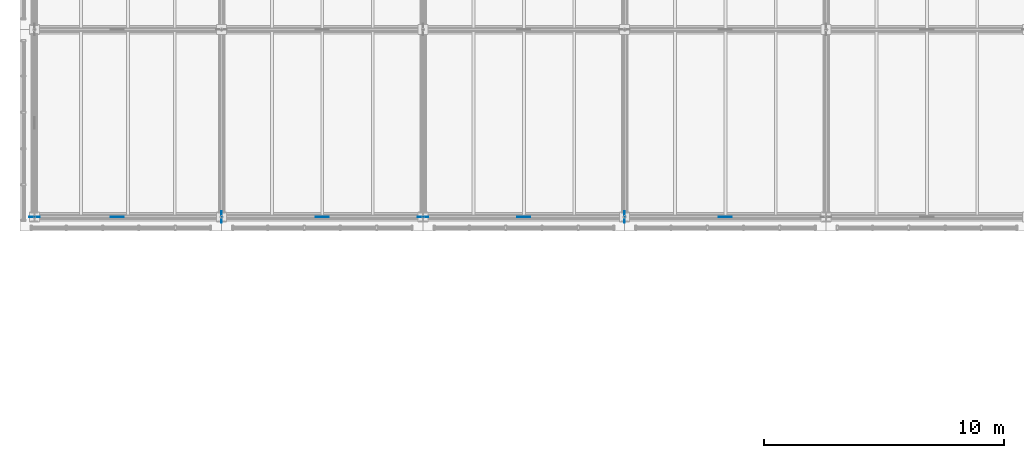
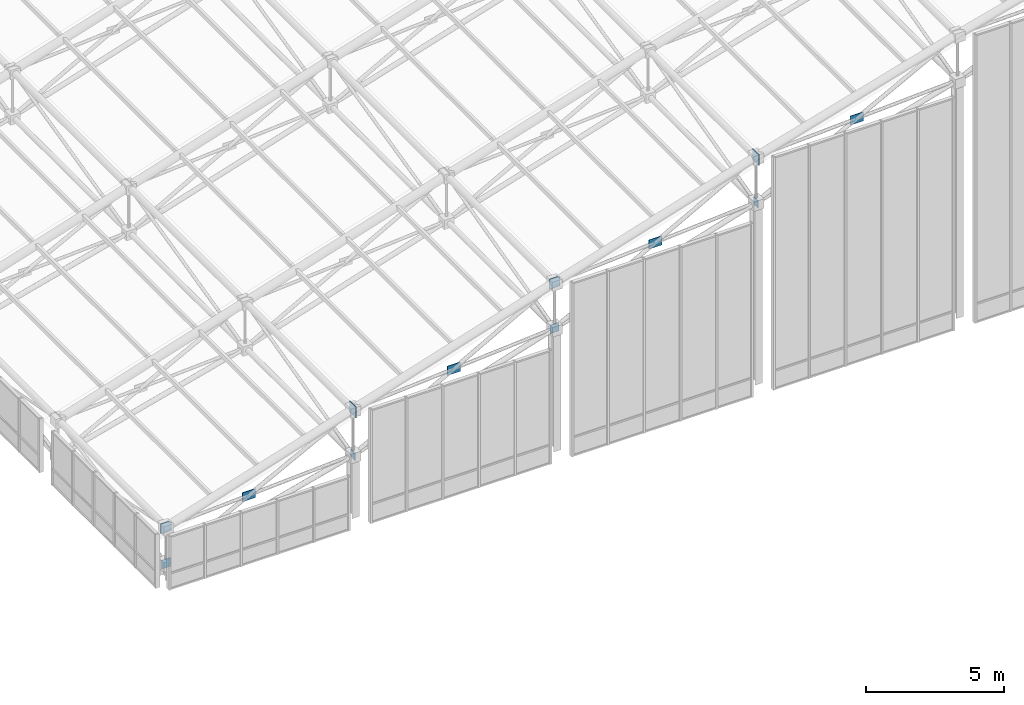
# One storey, part 113 of 144: 12 plates.
"""IFC4 building model written with IfcOpenShell, lengths in metres."""

from ifc_helpers import new_model, si_unit, direction, frame, origin, origin_2d, place, context, subcontext, project, spatial, rectangle, extrude, material, layer, layer_set, type_object, element, save


model = new_model("IFC4")

# Units and contexts
model_context = context("Model", 3, precision=1e-05, world=origin(), true_north=direction((0.0, 1.0)))
body_context = subcontext(model_context, "Body", "Model", "MODEL_VIEW")
ifc_project = project(units=[si_unit("LENGTHUNIT", "METRE"), si_unit("AREAUNIT", "SQUARE_METRE"), si_unit("VOLUMEUNIT", "CUBIC_METRE"), si_unit("PLANEANGLEUNIT", "RADIAN"), si_unit("MASSUNIT", "GRAM", prefix="KILO")], contexts=[model_context])

# Site, building, storey
site_placement = place(None, origin())
site = spatial("IfcSite", under=ifc_project, at=site_placement, CompositionType="ELEMENT")
building_placement = place(site_placement, origin())
building = spatial("IfcBuilding", under=site, at=building_placement, Name="Zayran Congress Hotel", CompositionType="ELEMENT")
storey_placement = place(building_placement, frame((0.0, 0.0, 19.199951171875)))
storey = spatial("IfcBuildingStorey", under=building, at=storey_placement, Name="L04", CompositionType="ELEMENT", Elevation=19.199951171875)

# Plates
ifc_material = material(Name="Steel S355", Category="steel")
ifc_layer_1 = layer(ifc_material, 0.02490234375)
ifc_layer_set_1 = layer_set([ifc_layer_1], Name="Steel S355")
plate_type_1 = type_object("IfcPlateType", Name="TP-SN-CP1", PredefinedType="USERDEFINED", material=ifc_layer_set_1)
for number, where, z_axis, x_axis, name in (
    (1, (9.0, 68.199951171875, 1.971435546875), (0.0, 0.0, 1.0), (1.0, 0.0, 0.0), "Space Frame Node Cap Plate 1"),
    (2, (25.199951171875, 68.199951171875, 7.08203125), (0.0, 0.0, 1.0), (1.0, 0.0, 0.0), "Space Frame Node Cap Plate 15"),
):
    element("IfcPlate", number, at=place(storey_placement, frame(where, z_axis=z_axis, x_axis=x_axis)), inside=storey, type_object=plate_type_1, Name=name, ObjectType="GUSSET_PLATE", PredefinedType="USERDEFINED", context=body_context, shape_type="SweptSolid", body=[
        extrude(rectangle(XDim=0.43994140625, YDim=0.02490234375, at=origin_2d()), origin(), (0.0, 0.0, 1.0), 0.43994140625),
    ])
ifc_layer_2 = layer(ifc_material, 0.02490234375)
ifc_layer_set_2 = layer_set([ifc_layer_2], Name="Steel S355")
plate_type_2 = type_object("IfcPlateType", Name="TP-SN-CP2", PredefinedType="USERDEFINED", material=ifc_layer_set_2)
for number, where, z_axis, x_axis, name in (
    (3, (9.0, 68.199951171875, 0.41015625), (0.0, 0.0, 1.0), (1.0, 0.0, 0.0), "Space Frame Node Cap Plate 78"),
    (4, (25.199951171875, 68.199951171875, 5.110107421875), (0.0, 0.0, 1.0), (1.0, 0.0, 0.0), "Space Frame Node Cap Plate 92"),
):
    element("IfcPlate", number, at=place(storey_placement, frame(where, z_axis=z_axis, x_axis=x_axis)), inside=storey, type_object=plate_type_2, Name=name, ObjectType="GUSSET_PLATE", PredefinedType="USERDEFINED", context=body_context, shape_type="SweptSolid", body=[
        extrude(rectangle(XDim=0.3798828125, YDim=0.02490234375, at=origin_2d()), origin(), (0.0, 0.0, 1.0), 0.3798828125),
    ])
ifc_layer_3 = layer(ifc_material, 0.02001953125)
ifc_layer_set_3 = layer_set([ifc_layer_3], Name="Steel S355")
plate_type_3 = type_object("IfcPlateType", Name="TP-SN-CP3", PredefinedType="USERDEFINED", material=ifc_layer_set_3)
for number, where, z_axis, x_axis, name in (
    (5, (16.800048828125, 68.199951171875, 2.47998046875), (0.0, 0.0, 1.0), (0.0, 1.0, 0.0), "Space Frame Node Cap Plate 85"),
    (6, (33.60009765625, 68.199951171875, 7.72998046875), (0.0, 0.0, 1.0), (0.0, 1.0, 0.0), "Space Frame Node Cap Plate 99"),
):
    element("IfcPlate", number, at=place(storey_placement, frame(where, z_axis=z_axis, x_axis=x_axis)), inside=storey, type_object=plate_type_3, Name=name, ObjectType="GUSSET_PLATE", PredefinedType="USERDEFINED", context=body_context, shape_type="SweptSolid", body=[
        extrude(rectangle(XDim=0.340087890625, YDim=0.02001953125, at=origin_2d()), origin(), (0.0, 0.0, 1.0), 0.340087890625),
    ])
ifc_layer_4 = layer(ifc_material, 0.028076171875)
ifc_layer_set_4 = layer_set([ifc_layer_4], Name="Steel S355")
plate_type_4 = type_object("IfcPlateType", Name="TP-SN-CP4", PredefinedType="USERDEFINED", material=ifc_layer_set_4)
for number, where, z_axis, x_axis, name in (
    (7, (16.800048828125, 68.199951171875, 4.412109375), (0.0, 0.0, 1.0), (0.0, 1.0, 0.0), "Space Frame Node Cap Plate 8"),
    (8, (33.60009765625, 68.199951171875, 9.662109375), (0.0, 0.0, 1.0), (0.0, 1.0, 0.0), "Space Frame Node Cap Plate 22"),
):
    element("IfcPlate", number, at=place(storey_placement, frame(where, z_axis=z_axis, x_axis=x_axis)), inside=storey, type_object=plate_type_4, Name=name, ObjectType="GUSSET_PLATE", PredefinedType="USERDEFINED", context=body_context, shape_type="SweptSolid", body=[
        extrude(rectangle(XDim=0.47998046875, YDim=0.028076171875, at=origin_2d()), origin(), (0.0, 0.0, 1.0), 0.47998046875),
    ])
ifc_layer_5 = layer(ifc_material, 0.02490234375)
ifc_layer_set_5 = layer_set([ifc_layer_5], Name="Steel S355")
plate_type_5 = type_object("IfcPlateType", Name="TP-GS-01", PredefinedType="USERDEFINED", material=ifc_layer_set_5)
for number, where, z_axis, x_axis, name in (
    (9, (12.4541015625, 68.199951171875, 2.194580078125), (0.0, 0.0, 1.0), (1.0, 0.0, 0.0), "V1 Brace Crossing Gusset Plate 1"),
    (10, (21.0, 68.199951171875, 4.776123046875), (0.0, 0.0, 1.0), (1.0, 0.0, 0.0), "V1 Brace Crossing Gusset Plate 14"),
    (11, (29.39990234375, 68.199951171875, 7.401123046875), (0.0, 0.0, 1.0), (1.0, 0.0, 0.0), "V1 Brace Crossing Gusset Plate 21"),
    (12, (37.800048828125, 68.199951171875, 9.926025390625), (0.0, 0.0, 1.0), (1.0, 0.0, 0.0), "V1 Brace Crossing Gusset Plate 28"),
):
    element("IfcPlate", number, at=place(storey_placement, frame(where, z_axis=z_axis, x_axis=x_axis)), inside=storey, type_object=plate_type_5, Name=name, ObjectType="GUSSET_PLATE", PredefinedType="USERDEFINED", context=body_context, shape_type="SweptSolid", body=[
        extrude(rectangle(XDim=0.550048828125, YDim=0.02490234375, at=origin_2d()), origin(), (0.0, 0.0, 1.0), 0.39990234375),
    ])

save(model, "model.ifc")
